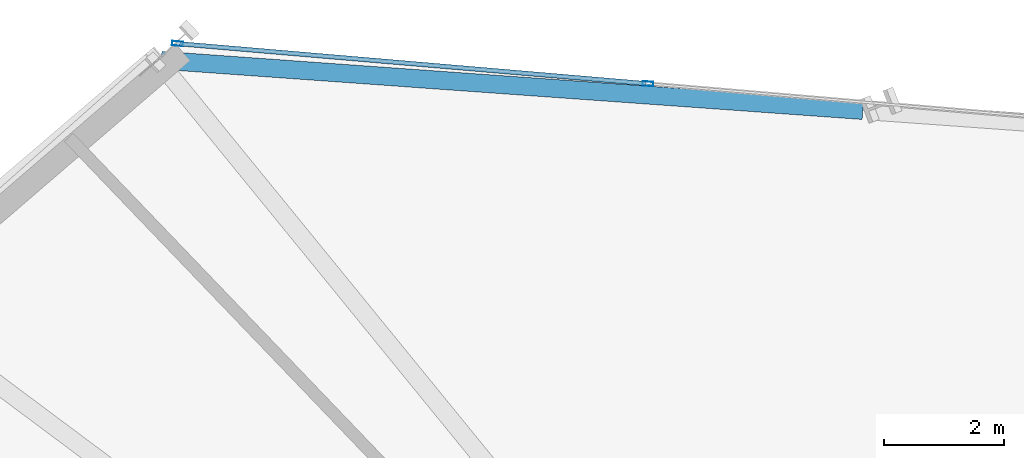
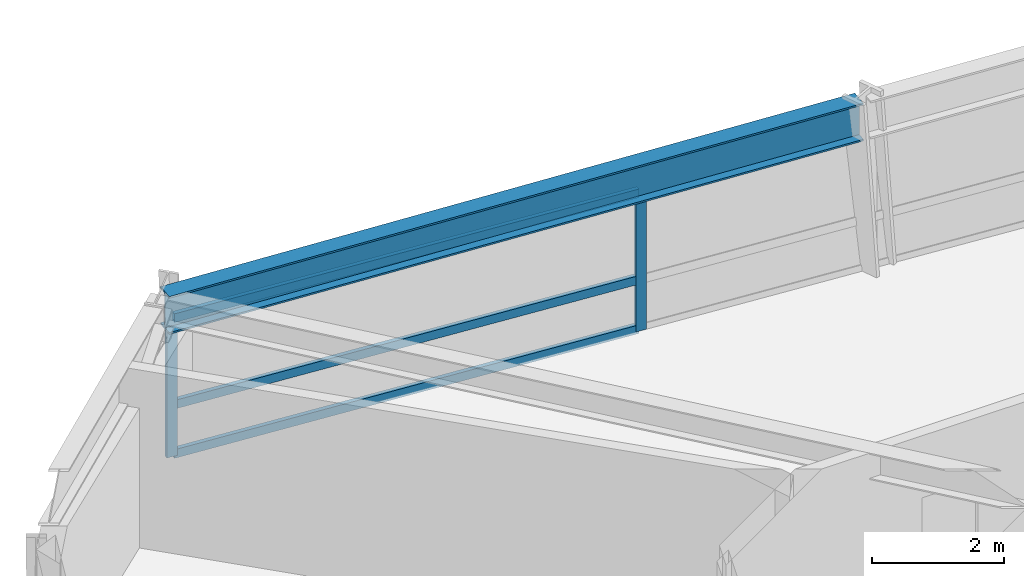
# One storey, part 8 of 21: 5 members, 1 beam, 1 element without a shape of its own.
"""IFC4 building model written with IfcOpenShell, lengths in metres."""

from ifc_helpers import new_model, si_unit, direction, frame, origin, origin_2d, place, context, subcontext, project, spatial, hollow_rectangle, i_section, extrude, source, transform, mapped, material, material_profile, profile_set, type_object, element, aggregate, save


model = new_model("IFC4")

# Units and contexts
model_context = context("Model", 3, precision=1e-05, world=origin(), true_north=direction((0.0, 1.0)))
body_context = subcontext(model_context, "Body", "Model", "MODEL_VIEW")
ifc_project = project(units=[si_unit("LENGTHUNIT", "METRE"), si_unit("AREAUNIT", "SQUARE_METRE"), si_unit("VOLUMEUNIT", "CUBIC_METRE"), si_unit("PLANEANGLEUNIT", "RADIAN"), si_unit("MASSUNIT", "GRAM", prefix="KILO")], contexts=[model_context])

# Site, building, storey
site_placement = place(None, origin())
site = spatial("IfcSite", under=ifc_project, at=site_placement, CompositionType="ELEMENT")
building_placement = place(site_placement, origin())
building = spatial("IfcBuilding", under=site, at=building_placement, Name="Olszyna Solenne Hotel", CompositionType="ELEMENT")
storey_placement = place(building_placement, frame((0.0, 0.0, 68.35009765625)))
storey = spatial("IfcBuildingStorey", under=building, at=storey_placement, Name="L17", CompositionType="ELEMENT", Elevation=68.35009765625)

# Beam
ifc_material_1 = material(Name="Steel S355J2", Category="steel")
ifc_material_profile_1 = material_profile(ifc_material_1, i_section(OverallWidth=0.300048828125, OverallDepth=0.699951171875, WebThickness=0.01708984375, FlangeThickness=0.031982421875, at=origin_2d()), Name="HEB 700", Category="load-bearing")
ifc_profile_set_1 = profile_set([ifc_material_profile_1], Name="Steel S355J2")
beam_type = type_object("IfcBeamType", Name="BM-S1", PredefinedType="BEAM", material=ifc_profile_set_1)
shared_shape_1 = source(origin(), body_context, "Body", "SweptSolid", [
    extrude(i_section(OverallWidth=0.300048828125, OverallDepth=0.699951171875, WebThickness=0.01708984375, FlangeThickness=0.031982421875, at=origin_2d()), origin(), (0.0, 0.0, 1.0), 11.716064453125),
])
beam_placement = place(storey_placement, frame((34.377685546875, 44.6162109375, 2.949951171875), z_axis=(-0.997451396017, 0.07134922974, 0.0), x_axis=(-0.07134922974, -0.997451396017, 0.0)))
element("IfcBeam", 1, at=beam_placement, inside=storey, type_object=beam_type, Name="Perimeter spandrel beam BM-S1 B-L17-0527", PredefinedType="BEAM", context=body_context, shape_type="MappedRepresentation", body=[
    mapped(shared_shape_1, transform((0.0, 0.0, 0.0), x_axis=(1.0, 0.0, 0.0), y_axis=(0.0, 1.0, 0.0), z_axis=(0.0, 0.0, 1.0), scale=1.0)),
])

# Curtain wall, members
ifc_material_2 = material(Name="Anodised bronze aluminium", Category="aluminium")
curtain_wall_type = type_object("IfcCurtainWallType", Name="CW-SYS-2", PredefinedType="NOTDEFINED", material=ifc_material_2)
curtain_wall_placement = place(storey_placement, origin())
curtain_wall = element("IfcCurtainWall", 2, at=curtain_wall_placement, inside=storey, type_object=curtain_wall_type, Name="Unitised curtain wall CW-SYS-2 CW-L17-02", PredefinedType="NOTDEFINED")
ifc_material_profile_2 = material_profile(ifc_material_2, hollow_rectangle(XDim=0.074951171875, YDim=0.179931640625, WallThickness=0.00439453125, at=origin_2d()), Name="MULL 180x75x4.5", Category="load-bearing")
ifc_profile_set_2 = profile_set([ifc_material_profile_2], Name="Anodised bronze aluminium")
member_type_1 = type_object("IfcMemberType", Name="CW-M2", PredefinedType="MULLION", material=ifc_profile_set_2)
shared_shape_2 = source(origin(), body_context, "Body", "SweptSolid", [
    extrude(hollow_rectangle(XDim=0.074951171875, YDim=0.179931640625, WallThickness=0.00439453125, at=origin_2d()), origin(), (0.0, 0.0, 1.0), 2.591796875),
])
member_1_placement = place(storey_placement, frame((22.962646484375, 45.730712890625, 0.0), z_axis=(0.0, 0.0, 1.0), x_axis=(0.0851247352, 0.996370302376, 0.0)))
member_1 = element("IfcMember", 3, at=member_1_placement, type_object=member_type_1, Name="Curtain-wall mullion CW-M2 CM-L17-02-01", PredefinedType="MULLION", context=body_context, shape_type="MappedRepresentation", body=[
    mapped(shared_shape_2, transform((0.0, 0.0, 0.0), x_axis=(1.0, 0.0, 0.0), y_axis=(0.0, 1.0, 0.0), z_axis=(0.0, 0.0, 1.0), scale=1.0)),
])
member_2_placement = place(storey_placement, frame((30.7978515625, 45.061279296875, 0.0), z_axis=(0.0, 0.0, 1.0), x_axis=(0.0851247352, 0.996370302376, 0.0)))
member_2 = element("IfcMember", 4, at=member_2_placement, type_object=member_type_1, Name="Curtain-wall mullion CW-M2 CM-L17-02-02", PredefinedType="MULLION", context=body_context, shape_type="MappedRepresentation", body=[
    mapped(shared_shape_2, transform((0.0, 0.0, 0.0), x_axis=(1.0, 0.0, 0.0), y_axis=(0.0, 1.0, 0.0), z_axis=(0.0, 0.0, 1.0), scale=1.0)),
])
ifc_material_profile_3 = material_profile(ifc_material_2, hollow_rectangle(XDim=0.074951171875, YDim=0.159912109375, WallThickness=0.00390625, at=origin_2d()), Name="TRAN 160x75x4", Category="load-bearing")
ifc_profile_set_3 = profile_set([ifc_material_profile_3], Name="Anodised bronze aluminium")
member_type_2 = type_object("IfcMemberType", Name="CW-T1", PredefinedType="USERDEFINED", material=ifc_profile_set_3)
shared_shape_3 = source(origin(), body_context, "Body", "SweptSolid", [
    extrude(hollow_rectangle(XDim=0.074951171875, YDim=0.159912109375, WallThickness=0.00390625, at=origin_2d()), origin(), (0.0, 0.0, 1.0), 7.788818359375),
])
member_3_placement = place(storey_placement, frame((23.0, 45.727294921875, 0.037353515625), z_axis=(0.996372208828, -0.08510241756, 0.0), x_axis=(0.08510241756, 0.996372208828, 0.0)))
member_3 = element("IfcMember", 5, at=member_3_placement, type_object=member_type_2, Name="Curtain-wall transom CW-T1 CT-L17-02-01", ObjectType="TRANSOM", PredefinedType="USERDEFINED", context=body_context, shape_type="MappedRepresentation", body=[
    mapped(shared_shape_3, transform((0.0, 0.0, 0.0), x_axis=(1.0, 0.0, 0.0), y_axis=(0.0, 1.0, 0.0), z_axis=(0.0, 0.0, 1.0), scale=1.0)),
])
member_4_placement = place(storey_placement, frame((23.0, 45.727294921875, 0.949951171875), z_axis=(0.996372208828, -0.08510241756, 0.0), x_axis=(0.08510241756, 0.996372208828, 0.0)))
member_4 = element("IfcMember", 6, at=member_4_placement, type_object=member_type_2, Name="Curtain-wall transom CW-T1 CT-L17-02-02", ObjectType="TRANSOM", PredefinedType="USERDEFINED", context=body_context, shape_type="MappedRepresentation", body=[
    mapped(shared_shape_3, transform((0.0, 0.0, 0.0), x_axis=(1.0, 0.0, 0.0), y_axis=(0.0, 1.0, 0.0), z_axis=(0.0, 0.0, 1.0), scale=1.0)),
])
member_5_placement = place(storey_placement, frame((23.0, 45.727294921875, 2.554443359375), z_axis=(0.996372208828, -0.08510241756, 0.0), x_axis=(0.08510241756, 0.996372208828, 0.0)))
member_5 = element("IfcMember", 7, at=member_5_placement, type_object=member_type_2, Name="Curtain-wall transom CW-T1 CT-L17-02-03", ObjectType="TRANSOM", PredefinedType="USERDEFINED", context=body_context, shape_type="MappedRepresentation", body=[
    mapped(shared_shape_3, transform((0.0, 0.0, 0.0), x_axis=(1.0, 0.0, 0.0), y_axis=(0.0, 1.0, 0.0), z_axis=(0.0, 0.0, 1.0), scale=1.0)),
])
aggregate(curtain_wall, [member_1, member_2, member_3, member_4, member_5])

save(model, "model.ifc")
